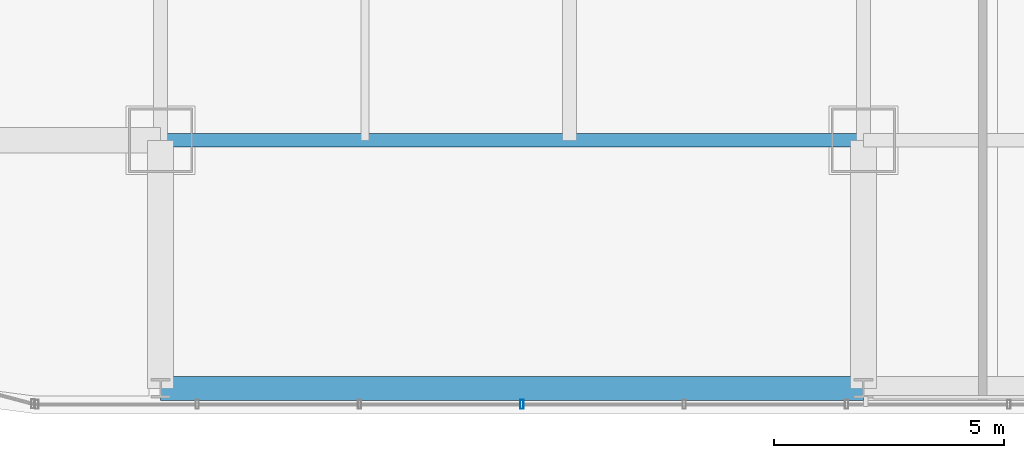
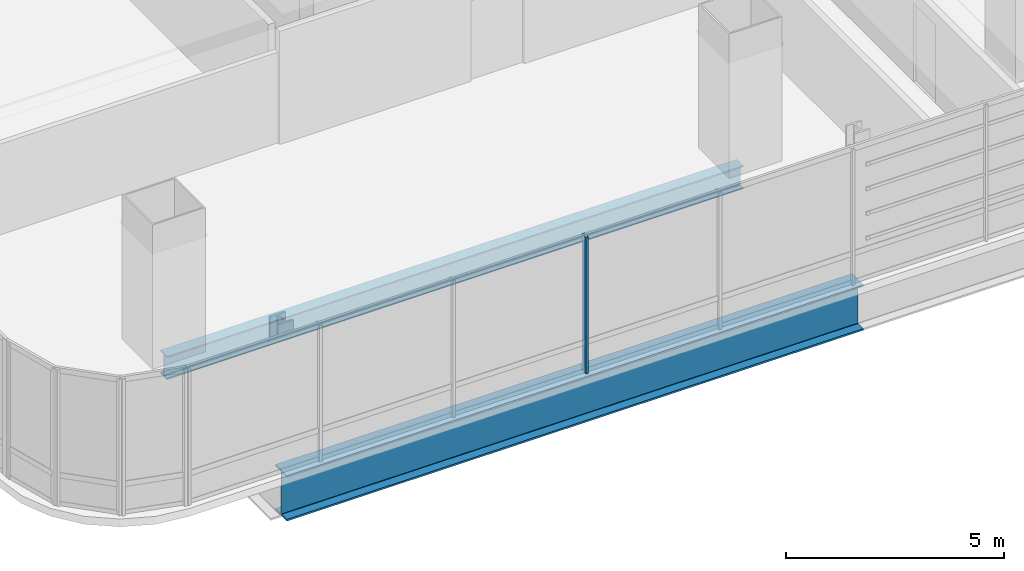
# One storey, part 3 of 37: 2 beams, 1 member, 1 element without a shape of its own.
"""IFC4 building model written with IfcOpenShell, lengths in metres."""

from ifc_helpers import new_model, si_unit, direction, frame, origin, origin_2d, place, context, subcontext, project, spatial, hollow_rectangle, i_section, extrude, material, material_profile, profile_set, type_object, element, aggregate, save


model = new_model("IFC4")

# Units and contexts
model_context = context("Model", 3, precision=1e-05, world=origin(), true_north=direction((0.0, 1.0)))
body_context = subcontext(model_context, "Body", "Model", "MODEL_VIEW")
ifc_project = project(units=[si_unit("LENGTHUNIT", "METRE"), si_unit("AREAUNIT", "SQUARE_METRE"), si_unit("VOLUMEUNIT", "CUBIC_METRE"), si_unit("PLANEANGLEUNIT", "RADIAN"), si_unit("MASSUNIT", "GRAM", prefix="KILO")], contexts=[model_context])

# Site, building, storey
site_placement = place(None, origin())
site = spatial("IfcSite", under=ifc_project, at=site_placement, CompositionType="ELEMENT")
building_placement = place(site_placement, origin())
building = spatial("IfcBuilding", under=site, at=building_placement, Name="Punatoya Terracotta Tower", CompositionType="ELEMENT")
storey_placement = place(building_placement, frame((0.0, 0.0, 192.449951171875)))
storey = spatial("IfcBuildingStorey", under=building, at=storey_placement, Name="L45", CompositionType="ELEMENT", Elevation=192.449951171875)

# Beams
ifc_material_1 = material(Name="Steel S355", Category="steel")
ifc_material_profile_1 = material_profile(ifc_material_1, i_section(OverallWidth=0.300048828125, OverallDepth=0.64990234375, WebThickness=0.01611328125, FlangeThickness=0.031005859375, FilletRadius=0.01806640625, at=origin_2d()))
ifc_profile_set_1 = profile_set([ifc_material_profile_1], Name="Steel S355")
beam_type_1 = type_object("IfcBeamType", Name="BM-PRI-650", PredefinedType="BEAM", material=ifc_profile_set_1)
beam_1_placement = place(storey_placement, frame((-19.10009765625, -17.5, -0.544921875), z_axis=(1.0, 0.0, 0.0), x_axis=(0.0, 1.0, 0.0)))
element("IfcBeam", 1, at=beam_1_placement, inside=storey, type_object=beam_type_1, Name="BM-L45-RG-S1", PredefinedType="BEAM", context=body_context, shape_type="SweptSolid", body=[
    extrude(i_section(OverallWidth=0.300048828125, OverallDepth=0.64990234375, WebThickness=0.01611328125, FlangeThickness=0.031005859375, FilletRadius=0.01806640625, at=origin_2d()), origin(), (0.0, 0.0, 1.0), 15.300048828125),
])
ifc_material_2 = material(Name="Steel S460", Category="steel")
ifc_material_profile_2 = material_profile(ifc_material_2, i_section(OverallWidth=0.52001953125, OverallDepth=1.280029296875, WebThickness=0.031982421875, FlangeThickness=0.050048828125, FilletRadius=0.01806640625, at=origin_2d()))
ifc_profile_set_2 = profile_set([ifc_material_profile_2], Name="Steel S460")
beam_type_2 = type_object("IfcBeamType", Name="BM-TG-NCK", PredefinedType="BEAM", material=ifc_profile_set_2)
beam_2_placement = place(storey_placement, frame((-19.10009765625, -22.89990234375, -0.85986328125), z_axis=(1.0, 0.0, 0.0), x_axis=(0.0, 1.0, 0.0)))
element("IfcBeam", 2, at=beam_2_placement, inside=storey, type_object=beam_type_2, Name="BM-L45-PER-S1", PredefinedType="BEAM", context=body_context, shape_type="SweptSolid", body=[
    extrude(i_section(OverallWidth=0.52001953125, OverallDepth=1.280029296875, WebThickness=0.031982421875, FlangeThickness=0.050048828125, FilletRadius=0.01806640625, at=origin_2d()), origin(), (0.0, 0.0, 1.0), 15.300048828125),
])

# Curtain wall, member
ifc_material_3 = material(Name="Aluminium 6063-T6 + Double Low-E Glass", Category="aluminium")
curtain_wall_type = type_object("IfcCurtainWallType", Name="CW-M2", PredefinedType="NOTDEFINED", material=ifc_material_3)
curtain_wall_placement = place(storey_placement, origin())
curtain_wall = element("IfcCurtainWall", 3, at=curtain_wall_placement, inside=storey, type_object=curtain_wall_type, Name="L45 Curtain Wall CW-L45-S01-1", PredefinedType="NOTDEFINED")
ifc_material_4 = material(Name="Aluminium 6063-T6", Category="aluminium")
ifc_material_profile_3 = material_profile(ifc_material_4, hollow_rectangle(XDim=0.072021484375, YDim=0.195068359375, WallThickness=0.00439453125, at=origin_2d()))
ifc_profile_set_3 = profile_set([ifc_material_profile_3], Name="Aluminium 6063-T6")
member_type = type_object("IfcMemberType", Name="CW-MUL-M2", PredefinedType="MULLION", material=ifc_profile_set_3)
member_placement = place(storey_placement, frame((-11.235107421875, -23.25, 0.0), z_axis=(0.0, 0.0, 1.0), x_axis=(1.0, 0.0, 0.0)))
member = element("IfcMember", 4, at=member_placement, type_object=member_type, Name="CW-L45-S01-1 Mullion 03", PredefinedType="MULLION", context=body_context, shape_type="SweptSolid", body=[
    extrude(hollow_rectangle(XDim=0.072021484375, YDim=0.195068359375, WallThickness=0.00439453125, at=origin_2d()), origin(), (0.0, 0.0, 1.0), 3.830078125),
])
aggregate(curtain_wall, [member])

save(model, "model.ifc")
